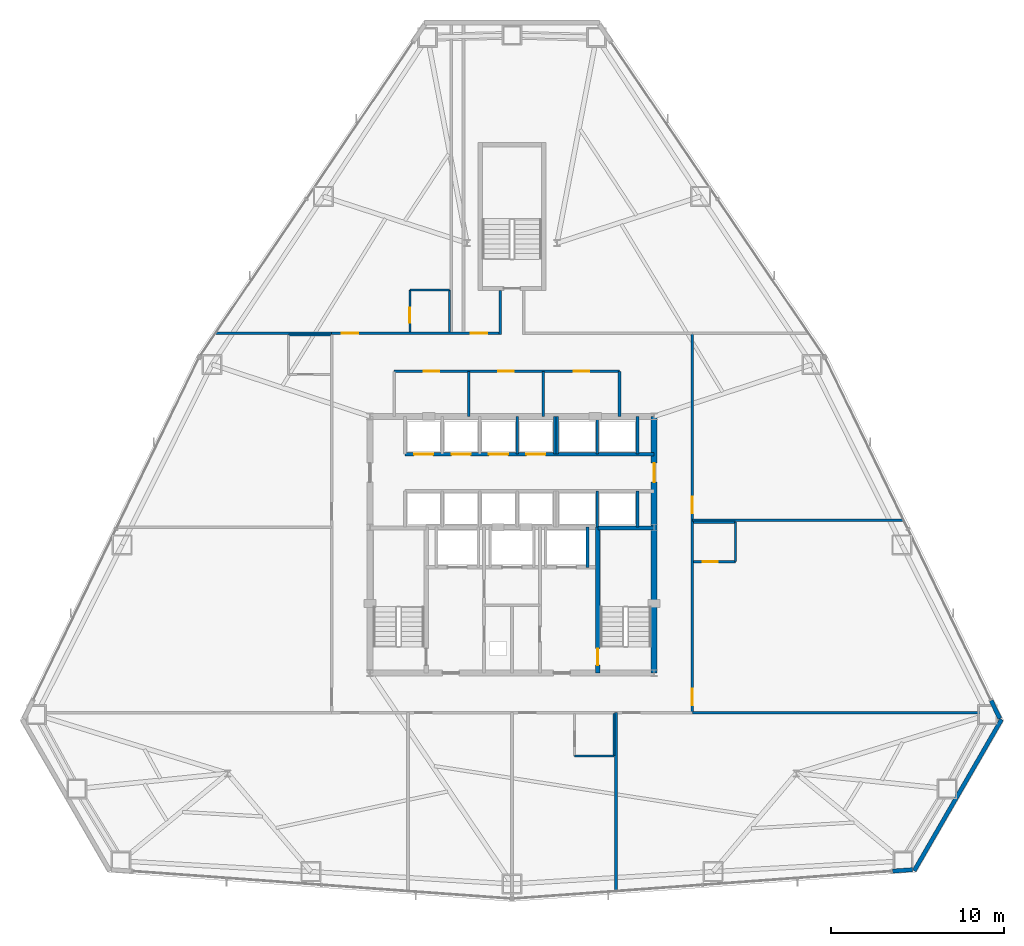
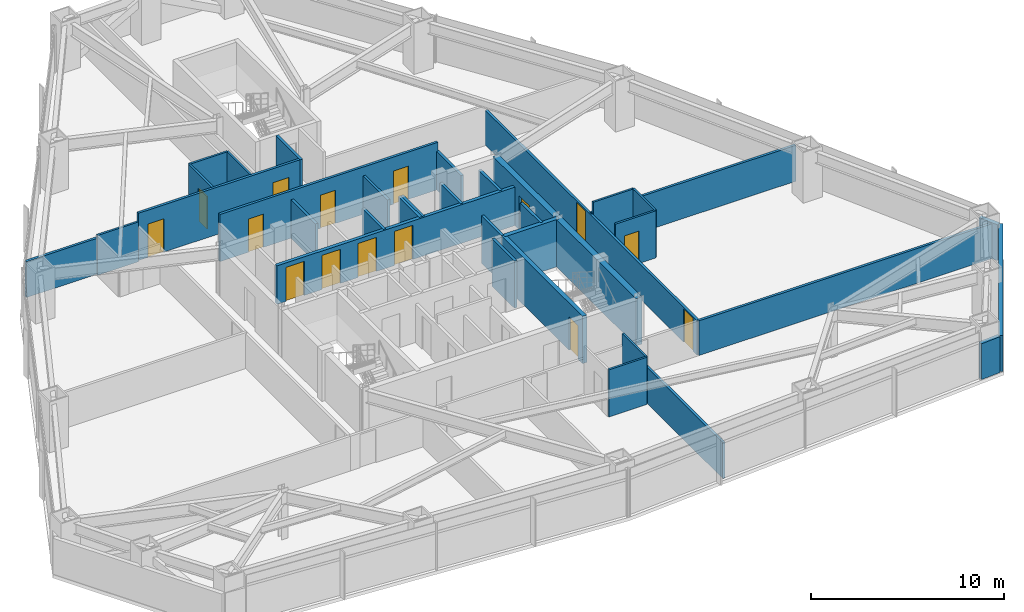
# One storey, part 10 of 12: 35 walls, 15 doors, 15 openings.
"""IFC4 building model written with IfcOpenShell, lengths in metres."""

from ifc_helpers import new_model, si_unit, direction, frame, frame_2d, origin, place, context, subcontext, project, spatial, rectangle, extrude, material, layer, layer_set, type_object, element, fill, save


model = new_model("IFC4")

# Units and contexts
model_context = context("Model", 3, precision=1e-05, world=origin(), true_north=direction((0.0, 1.0)))
body_context = subcontext(model_context, "Body", "Model", "MODEL_VIEW")
ifc_project = project(units=[si_unit("LENGTHUNIT", "METRE"), si_unit("AREAUNIT", "SQUARE_METRE"), si_unit("VOLUMEUNIT", "CUBIC_METRE"), si_unit("PLANEANGLEUNIT", "RADIAN"), si_unit("MASSUNIT", "GRAM", prefix="KILO")], contexts=[model_context])

# Site, building, storey
site_placement = place(None, origin())
site = spatial("IfcSite", under=ifc_project, at=site_placement, CompositionType="ELEMENT")
building_placement = place(site_placement, origin())
building = spatial("IfcBuilding", under=site, at=building_placement, Name="Varakhsha Concourse Tower", CompositionType="ELEMENT")
storey_placement = place(building_placement, frame((0.0, 0.0, 59.199951171875)))
storey = spatial("IfcBuildingStorey", under=building, at=storey_placement, Name="L16", CompositionType="ELEMENT", Elevation=59.199951171875)

# Wall, opening, door
ifc_material_1 = material(Name="Concrete fc 65 MPa", Category="concrete")
ifc_layer_1 = layer(ifc_material_1, 0.35009765625, Name="WL-CORE-350")
ifc_layer_set_1 = layer_set([ifc_layer_1], Name="Concrete fc 65 MPa")
wall_type_1 = type_object("IfcWallType", Name="WL-CORE-350", PredefinedType="SHEAR", material=ifc_layer_set_1)
wall_1_placement = place(storey_placement, frame((48.199951171875, 16.39990234375, 0.0), z_axis=(0.0, 0.0, 1.0), x_axis=(0.0, 1.0, 0.0)))
wall_1 = element("IfcWall", 1, at=wall_1_placement, inside=storey, type_object=wall_type_1, Name="L16 Wall CWALL-E-L16", PredefinedType="SHEAR", context=body_context, shape_type="SweptSolid", body=[
    extrude(rectangle(XDim=14.800048828125, YDim=0.35009765625, at=frame_2d((7.39990234375, 0.0))), origin(), (0.0, 0.0, 1.0), 2.97998046875),
])
opening_1_placement = place(wall_1_placement, frame((11.0, 0.0, 0.0)))
opening_1 = element("IfcOpeningElement", 2, at=opening_1_placement, cuts=wall_1, Name="Opening DL-01", PredefinedType="OPENING", context=body_context, shape_type="SweptSolid", body=[
    extrude(rectangle(XDim=1.10009765625, YDim=2.14990234375, at=frame_2d((0.550048828125, 1.074951171875))), frame((0.0, 0.18505859375, 0.0), z_axis=(0.0, -1.0, 0.0), x_axis=(1.0, 0.0, 0.0)), (0.0, 0.0, 1.0), 0.3701171875),
])
ifc_material_2 = material(Name="Anodised Bronze Architectural Aluminium AA 6063-T6", Category="aluminium")
door_type_1 = type_object("IfcDoorType", Name="DR-LOB-1100", OperationType="NOTDEFINED", PredefinedType="DOOR", material=ifc_material_2)
door_1_placement = place(opening_1_placement, origin())
door_1 = element("IfcDoor", 3, at=door_1_placement, inside=storey, type_object=door_type_1, Name="L16 Lift Lobby East Concourse Door", OperationType="SINGLE_SWING_RIGHT", OverallHeight=2.14990234375, OverallWidth=1.10009765625, PredefinedType="DOOR", context=body_context, shape_type="SweptSolid", body=[
    extrude(rectangle(XDim=1.10009765625, YDim=2.14990234375, at=frame_2d((0.550048828125, 1.074951171875))), frame((0.0, 0.02490234375, 0.0), z_axis=(0.0, -1.0, 0.0), x_axis=(1.0, 0.0, 0.0)), (0.0, 0.0, 1.0), 0.050048828125),
])
fill(opening_1, door_1)

# Walls
ifc_material_3 = material(Name="Concrete fc 45 MPa", Category="concrete")
ifc_layer_2 = layer(ifc_material_3, 0.239990234375, Name="WL-EXT-CRN-240")
ifc_layer_set_2 = layer_set([ifc_layer_2], Name="Concrete fc 45 MPa")
wall_type_2 = type_object("IfcWallType", Name="WL-EXT-CRN-240", PredefinedType="SHEAR", material=ifc_layer_set_2)
wall_2_placement = place(storey_placement, frame((61.952392578125, 4.95947265625, 0.0), z_axis=(0.0, 0.0, 1.0), x_axis=(0.997371614967, 0.072455929072, 0.0)))
element("IfcWall", 4, at=wall_2_placement, inside=storey, type_object=wall_type_2, Name="L16 Wind-Corner Shoulder Wall F6", PredefinedType="SHEAR", context=body_context, shape_type="SweptSolid", body=[
    extrude(rectangle(XDim=1.16259765625, YDim=0.239990234375, at=frame_2d((0.581298828125, 0.0))), origin(), (0.0, 0.0, 1.0), 2.262939453125),
])
wall_3_placement = place(storey_placement, frame((68.2470703125, 13.714599609375, 0.0), z_axis=(0.0, 0.0, 1.0), x_axis=(-0.499984376209, -0.866034423996, 0.0)))
element("IfcWall", 5, at=wall_3_placement, inside=storey, type_object=wall_type_2, Name="L16 Chamfer Wind-Corner Insulated Wall F7", PredefinedType="SHEAR", context=body_context, shape_type="SweptSolid", body=[
    extrude(rectangle(XDim=10.085693359375, YDim=0.239990234375, at=frame_2d((5.04296875, 0.0))), origin(), (0.0, 0.0, 1.0), 2.262939453125),
])
wall_4_placement = place(storey_placement, frame((68.145751953125, 13.7626953125, 0.0), z_axis=(0.0, 0.0, 1.0), x_axis=(-0.436005533542, 0.899943984213, 0.0)))
element("IfcWall", 6, at=wall_4_placement, inside=storey, type_object=wall_type_2, Name="L16 Wind-Corner Shoulder Wall F8", PredefinedType="SHEAR", context=body_context, shape_type="SweptSolid", body=[
    extrude(rectangle(XDim=1.162353515625, YDim=0.239990234375, at=frame_2d((0.5810546875, 0.0))), origin(), (0.0, 0.0, 1.0), 2.262939453125),
])
ifc_material_4 = material(Name="Acoustic Gypsum Board Partition Assembly", Category="gypsum")
ifc_layer_3 = layer(ifc_material_4, 0.1201171875, Name="WL-PART-120")
ifc_layer_set_3 = layer_set([ifc_layer_3], Name="Acoustic Gypsum Board Partition Assembly")
wall_type_3 = type_object("IfcWallType", Name="WL-PART-120", PredefinedType="PARTITIONING", material=ifc_layer_set_3)
wall_5_placement = place(storey_placement, frame((45.889892578125, 11.610107421875, 0.0), z_axis=(0.0, 0.0, 1.0), x_axis=(0.0, 1.0, 0.0)))
element("IfcWall", 7, at=wall_5_placement, inside=storey, type_object=wall_type_3, Name="L16 Wall ENSW-E-L16-H03", PredefinedType="PARTITIONING", context=body_context, shape_type="SweptSolid", body=[
    extrude(rectangle(XDim=2.429931640625, YDim=0.1201171875, at=frame_2d((1.21484375, 0.0))), origin(), (0.0, 0.0, 1.0), 2.97998046875),
])
wall_6_placement = place(storey_placement, frame((43.610107421875, 11.610107421875, 0.0), z_axis=(0.0, 0.0, 1.0), x_axis=(1.0, 0.0, 0.0)))
element("IfcWall", 8, at=wall_6_placement, inside=storey, type_object=wall_type_3, Name="L16 Wall ENSW-S-L16-H03", PredefinedType="PARTITIONING", context=body_context, shape_type="SweptSolid", body=[
    extrude(rectangle(XDim=2.27978515625, YDim=0.1201171875, at=frame_2d((1.139892578125, 0.0))), origin(), (0.0, 0.0, 1.0), 2.97998046875),
])
wall_7_placement = place(storey_placement, frame((27.110107421875, 35.889892578125, 0.0), z_axis=(0.0, 0.0, 1.0), x_axis=(1.0, 0.0, 0.0)))
element("IfcWall", 9, at=wall_7_placement, inside=storey, type_object=wall_type_3, Name="L16 Wall ENSW-N-L16-H06", PredefinedType="PARTITIONING", context=body_context, shape_type="SweptSolid", body=[
    extrude(rectangle(XDim=2.429931640625, YDim=0.1201171875, at=frame_2d((1.21484375, 0.0))), origin(), (0.0, 0.0, 1.0), 2.512939453125),
])
wall_8_placement = place(storey_placement, frame((52.889892578125, 22.81005859375, 0.0), z_axis=(0.0, 0.0, 1.0), x_axis=(0.0, 1.0, 0.0)))
element("IfcWall", 10, at=wall_8_placement, inside=storey, type_object=wall_type_3, Name="L16 Wall ENSW-E-L16-H07", PredefinedType="PARTITIONING", context=body_context, shape_type="SweptSolid", body=[
    extrude(rectangle(XDim=2.280029296875, YDim=0.1201171875, at=frame_2d((1.14013671875, 0.0))), origin(), (0.0, 0.0, 1.0), 2.97998046875),
])

# Wall, opening, door
wall_9_placement = place(storey_placement, frame((50.4599609375, 22.81005859375, 0.0), z_axis=(0.0, 0.0, 1.0), x_axis=(1.0, 0.0, 0.0)))
wall_9 = element("IfcWall", 11, at=wall_9_placement, inside=storey, type_object=wall_type_3, Name="L16 Wall ENSW-S-L16-H07", PredefinedType="PARTITIONING", context=body_context, shape_type="SweptSolid", body=[
    extrude(rectangle(XDim=2.429931640625, YDim=0.1201171875, at=frame_2d((1.21484375, 0.0))), origin(), (0.0, 0.0, 1.0), 2.97998046875),
])
opening_2_placement = place(wall_9_placement, frame((0.550048828125, 0.0, 0.0)))
opening_2 = element("IfcOpeningElement", 12, at=opening_2_placement, cuts=wall_9, Name="Opening DI-01", PredefinedType="OPENING", context=body_context, shape_type="SweptSolid", body=[
    extrude(rectangle(XDim=0.85009765625, YDim=2.050048828125, at=frame_2d((0.425048828125, 1.02490234375))), frame((0.0, 0.070068359375, 0.0), z_axis=(0.0, -1.0, 0.0), x_axis=(1.0, 0.0, 0.0)), (0.0, 0.0, 1.0), 0.14013671875),
])
ifc_material_5 = material(Name="Architectural Walnut Acoustic Timber Door", Category="wood")
door_type_2 = type_object("IfcDoorType", Name="DR-INT-850", OperationType="NOTDEFINED", PredefinedType="DOOR", material=ifc_material_5)
door_2_placement = place(opening_2_placement, origin())
door_2 = element("IfcDoor", 13, at=door_2_placement, inside=storey, type_object=door_type_2, Name="L16 En-suite Bathroom Door L16-H07", OperationType="SINGLE_SWING_RIGHT", OverallHeight=2.050048828125, OverallWidth=0.85009765625, PredefinedType="DOOR", context=body_context, shape_type="SweptSolid", body=[
    extrude(rectangle(XDim=0.85009765625, YDim=2.050048828125, at=frame_2d((0.425048828125, 1.02490234375))), frame((0.0, 0.02490234375, 0.0), z_axis=(0.0, -1.0, 0.0), x_axis=(1.0, 0.0, 0.0)), (0.0, 0.0, 1.0), 0.050048828125),
])
fill(opening_2, door_2)

# Wall
wall_10_placement = place(storey_placement, frame((50.4599609375, 25.090087890625, 0.0), z_axis=(0.0, 0.0, 1.0), x_axis=(1.0, 0.0, 0.0)))
element("IfcWall", 14, at=wall_10_placement, inside=storey, type_object=wall_type_3, Name="L16 Wall ENSW-N-L16-H07", PredefinedType="PARTITIONING", context=body_context, shape_type="SweptSolid", body=[
    extrude(rectangle(XDim=2.429931640625, YDim=0.1201171875, at=frame_2d((1.21484375, 0.0))), origin(), (0.0, 0.0, 1.0), 2.97998046875),
])

# Wall, opening, door
wall_11_placement = place(storey_placement, frame((34.110107421875, 36.06005859375, 0.0), z_axis=(0.0, 0.0, 1.0), x_axis=(0.0, 1.0, 0.0)))
wall_11 = element("IfcWall", 15, at=wall_11_placement, inside=storey, type_object=wall_type_3, Name="L16 Wall ENSW-W-L16-H09", PredefinedType="PARTITIONING", context=body_context, shape_type="SweptSolid", body=[
    extrude(rectangle(XDim=2.429931640625, YDim=0.1201171875, at=frame_2d((1.21484375, 0.0))), origin(), (0.0, 0.0, 1.0), 2.97998046875),
])
opening_3_placement = place(wall_11_placement, frame((0.550048828125, 0.0, 0.0)))
opening_3 = element("IfcOpeningElement", 16, at=opening_3_placement, cuts=wall_11, Name="Opening DI-01", PredefinedType="OPENING", context=body_context, shape_type="SweptSolid", body=[
    extrude(rectangle(XDim=0.85009765625, YDim=2.050048828125, at=frame_2d((0.425048828125, 1.02490234375))), frame((0.0, 0.070068359375, 0.0), z_axis=(0.0, -1.0, 0.0), x_axis=(1.0, 0.0, 0.0)), (0.0, 0.0, 1.0), 0.14013671875),
])
door_3_placement = place(opening_3_placement, origin())
door_3 = element("IfcDoor", 17, at=door_3_placement, inside=storey, type_object=door_type_2, Name="L16 En-suite Bathroom Door L16-H09", OperationType="SINGLE_SWING_RIGHT", OverallHeight=2.050048828125, OverallWidth=0.85009765625, PredefinedType="DOOR", context=body_context, shape_type="SweptSolid", body=[
    extrude(rectangle(XDim=0.85009765625, YDim=2.050048828125, at=frame_2d((0.425048828125, 1.02490234375))), frame((0.0, 0.02490234375, 0.0), z_axis=(0.0, -1.0, 0.0), x_axis=(1.0, 0.0, 0.0)), (0.0, 0.0, 1.0), 0.050048828125),
])
fill(opening_3, door_3)

# Walls
wall_12_placement = place(storey_placement, frame((36.389892578125, 36.06005859375, 0.0), z_axis=(0.0, 0.0, 1.0), x_axis=(0.0, 1.0, 0.0)))
element("IfcWall", 18, at=wall_12_placement, inside=storey, type_object=wall_type_3, Name="L16 Wall ENSW-E-L16-H09", PredefinedType="PARTITIONING", context=body_context, shape_type="SweptSolid", body=[
    extrude(rectangle(XDim=2.429931640625, YDim=0.1201171875, at=frame_2d((1.21484375, 0.0))), origin(), (0.0, 0.0, 1.0), 2.97998046875),
])
wall_13_placement = place(storey_placement, frame((34.110107421875, 38.489990234375, 0.0), z_axis=(0.0, 0.0, 1.0), x_axis=(1.0, 0.0, 0.0)))
element("IfcWall", 19, at=wall_13_placement, inside=storey, type_object=wall_type_3, Name="L16 Wall ENSW-N-L16-H09", PredefinedType="PARTITIONING", context=body_context, shape_type="SweptSolid", body=[
    extrude(rectangle(XDim=2.27978515625, YDim=0.1201171875, at=frame_2d((1.139892578125, 0.0))), origin(), (0.0, 0.0, 1.0), 2.97998046875),
])

# Wall, openings, doors
ifc_material_6 = material(Name="Fire-Rated Type X Gypsum Partition Assembly", Category="gypsum")
ifc_layer_4 = layer(ifc_material_6, 0.14990234375, Name="WL-PART-150")
ifc_layer_set_4 = layer_set([ifc_layer_4], Name="Fire-Rated Type X Gypsum Partition Assembly")
wall_type_4 = type_object("IfcWallType", Name="WL-PART-150", PredefinedType="PARTITIONING", material=ifc_layer_set_4)
wall_14_placement = place(storey_placement, frame((33.199951171875, 33.800048828125, 0.0), z_axis=(0.0, 0.0, 1.0), x_axis=(1.0, 0.0, 0.0)))
wall_14 = element("IfcWall", 20, at=wall_14_placement, inside=storey, type_object=wall_type_4, Name="L16 Wall NBOH-N-L16", PredefinedType="PARTITIONING", context=body_context, shape_type="SweptSolid", body=[
    extrude(rectangle(XDim=13.0, YDim=0.14990234375, at=frame_2d((6.5, 0.0))), origin(), (0.0, 0.0, 1.0), 2.97998046875),
])
opening_4_placement = place(wall_14_placement, frame((1.699951171875, 0.0, 0.0)))
opening_4 = element("IfcOpeningElement", 21, at=opening_4_placement, cuts=wall_14, Name="Opening DF-06", PredefinedType="OPENING", context=body_context, shape_type="SweptSolid", body=[
    extrude(rectangle(XDim=0.89990234375, YDim=2.10009765625, at=frame_2d((0.449951171875, 1.050048828125))), frame((0.0, 0.0849609375, 0.0), z_axis=(0.0, -1.0, 0.0), x_axis=(1.0, 0.0, 0.0)), (0.0, 0.0, 1.0), 0.169921875),
])
opening_5_placement = place(wall_14_placement, frame((6.0, 0.0, 0.0)))
opening_5 = element("IfcOpeningElement", 22, at=opening_5_placement, cuts=wall_14, Name="Opening DF-06", PredefinedType="OPENING", context=body_context, shape_type="SweptSolid", body=[
    extrude(rectangle(XDim=0.89990234375, YDim=2.10009765625, at=frame_2d((0.449951171875, 1.050048828125))), frame((0.0, 0.0849609375, 0.0), z_axis=(0.0, -1.0, 0.0), x_axis=(1.0, 0.0, 0.0)), (0.0, 0.0, 1.0), 0.169921875),
])
opening_6_placement = place(wall_14_placement, frame((10.35009765625, 0.0, 0.0)))
opening_6 = element("IfcOpeningElement", 23, at=opening_6_placement, cuts=wall_14, Name="Opening DF-06", PredefinedType="OPENING", context=body_context, shape_type="SweptSolid", body=[
    extrude(rectangle(XDim=0.89990234375, YDim=2.10009765625, at=frame_2d((0.449951171875, 1.050048828125))), frame((0.0, 0.0849609375, 0.0), z_axis=(0.0, -1.0, 0.0), x_axis=(1.0, 0.0, 0.0)), (0.0, 0.0, 1.0), 0.169921875),
])
ifc_material_7 = material(Name="Hollow Galvanised Steel Fire Door Assembly", Category="steel")
door_type_3 = type_object("IfcDoorType", Name="DR-FD60-900", OperationType="NOTDEFINED", PredefinedType="DOOR", material=ifc_material_7)
door_4_placement = place(opening_4_placement, origin())
door_4 = element("IfcDoor", 24, at=door_4_placement, inside=storey, type_object=door_type_3, Name="L16 Housekeeping and Linen Room Door", OperationType="SINGLE_SWING_LEFT", OverallHeight=2.10009765625, OverallWidth=0.89990234375, PredefinedType="DOOR", context=body_context, shape_type="SweptSolid", body=[
    extrude(rectangle(XDim=0.89990234375, YDim=2.10009765625, at=frame_2d((0.449951171875, 1.050048828125))), frame((0.0, 0.02490234375, 0.0), z_axis=(0.0, -1.0, 0.0), x_axis=(1.0, 0.0, 0.0)), (0.0, 0.0, 1.0), 0.050048828125),
])
fill(opening_4, door_4)
door_5_placement = place(opening_5_placement, origin())
door_5 = element("IfcDoor", 25, at=door_5_placement, inside=storey, type_object=door_type_3, Name="L16 Accessible WC Door", OperationType="SINGLE_SWING_RIGHT", OverallHeight=2.10009765625, OverallWidth=0.89990234375, PredefinedType="DOOR", context=body_context, shape_type="SweptSolid", body=[
    extrude(rectangle(XDim=0.89990234375, YDim=2.10009765625, at=frame_2d((0.449951171875, 1.050048828125))), frame((0.0, 0.02490234375, 0.0), z_axis=(0.0, -1.0, 0.0), x_axis=(1.0, 0.0, 0.0)), (0.0, 0.0, 1.0), 0.050048828125),
])
fill(opening_5, door_5)
door_6_placement = place(opening_6_placement, origin())
door_6 = element("IfcDoor", 26, at=door_6_placement, inside=storey, type_object=door_type_3, Name="L16 Staff Restroom WC Door", OperationType="SINGLE_SWING_LEFT", OverallHeight=2.10009765625, OverallWidth=0.89990234375, PredefinedType="DOOR", context=body_context, shape_type="SweptSolid", body=[
    extrude(rectangle(XDim=0.89990234375, YDim=2.10009765625, at=frame_2d((0.449951171875, 1.050048828125))), frame((0.0, 0.02490234375, 0.0), z_axis=(0.0, -1.0, 0.0), x_axis=(1.0, 0.0, 0.0)), (0.0, 0.0, 1.0), 0.050048828125),
])
fill(opening_6, door_6)

# Walls
for number, where, z_axis, x_axis, name in (
    (27, (46.199951171875, 31.199951171875, 0.0), (0.0, 0.0, 1.0), (0.0, 1.0, 0.0), "L16 Wall NBOH-E-L16"),
    (28, (37.5, 31.199951171875, 0.0), (0.0, 0.0, 1.0), (0.0, 1.0, 0.0), "L16 Wall NBOH-D1-L16"),
    (29, (41.800048828125, 31.199951171875, 0.0), (0.0, 0.0, 1.0), (0.0, 1.0, 0.0), "L16 Wall NBOH-D2-L16"),
):
    element("IfcWall", number, at=place(storey_placement, frame(where, z_axis=z_axis, x_axis=x_axis)), inside=storey, type_object=wall_type_4, Name=name, PredefinedType="PARTITIONING", context=body_context, shape_type="SweptSolid", body=[
        extrude(rectangle(XDim=2.60009765625, YDim=0.14990234375, at=frame_2d((1.300048828125, 0.0))), origin(), (0.0, 0.0, 1.0), 2.43115234375),
    ])

# Wall, openings, doors
wall_15_placement = place(storey_placement, frame((29.60009765625, 36.0, 0.0), z_axis=(0.0, 0.0, 1.0), x_axis=(1.0, 0.0, 0.0)))
wall_15 = element("IfcWall", 30, at=wall_15_placement, inside=storey, type_object=wall_type_4, Name="L16 Wall CRW-N-L16", PredefinedType="PARTITIONING", context=body_context, shape_type="SweptSolid", body=[
    extrude(rectangle(XDim=9.64990234375, YDim=0.14990234375, at=frame_2d((4.824951171875, 0.0))), origin(), (0.0, 0.0, 1.0), 2.97998046875),
])
opening_7_placement = place(wall_15_placement, frame((0.570068359375, 0.0, 0.0)))
opening_7 = element("IfcOpeningElement", 31, at=opening_7_placement, cuts=wall_15, Name="Opening DF-05", PredefinedType="OPENING", context=body_context, shape_type="SweptSolid", body=[
    extrude(rectangle(XDim=0.949951171875, YDim=2.10009765625, at=frame_2d((0.47509765625, 1.050048828125))), frame((0.0, 0.0849609375, 0.0), z_axis=(0.0, -1.0, 0.0), x_axis=(1.0, 0.0, 0.0)), (0.0, 0.0, 1.0), 0.169921875),
])
opening_8_placement = place(wall_15_placement, frame((8.02001953125, 0.0, 0.0)))
opening_8 = element("IfcOpeningElement", 32, at=opening_8_placement, cuts=wall_15, Name="Opening DF-05", PredefinedType="OPENING", context=body_context, shape_type="SweptSolid", body=[
    extrude(rectangle(XDim=0.949951171875, YDim=2.10009765625, at=frame_2d((0.47509765625, 1.050048828125))), frame((0.0, 0.0849609375, 0.0), z_axis=(0.0, -1.0, 0.0), x_axis=(1.0, 0.0, 0.0)), (0.0, 0.0, 1.0), 0.169921875),
])
door_type_4 = type_object("IfcDoorType", Name="DR-FD60-950", OperationType="NOTDEFINED", PredefinedType="DOOR", material=ifc_material_7)
door_7_placement = place(opening_7_placement, origin())
door_7 = element("IfcDoor", 33, at=door_7_placement, inside=storey, type_object=door_type_4, Name="L16 Hotel Corner Suite L16-H09 Entry Door", OperationType="SINGLE_SWING_LEFT", OverallHeight=2.10009765625, OverallWidth=0.949951171875, PredefinedType="DOOR", context=body_context, shape_type="SweptSolid", body=[
    extrude(rectangle(XDim=0.949951171875, YDim=2.10009765625, at=frame_2d((0.47509765625, 1.050048828125))), frame((0.0, 0.02490234375, 0.0), z_axis=(0.0, -1.0, 0.0), x_axis=(1.0, 0.0, 0.0)), (0.0, 0.0, 1.0), 0.050048828125),
])
fill(opening_7, door_7)
door_8_placement = place(opening_8_placement, origin())
door_8 = element("IfcDoor", 34, at=door_8_placement, inside=storey, type_object=door_type_4, Name="L16 Hospitality Conservatory Lounge L16-H10 Door", OperationType="SINGLE_SWING_RIGHT", OverallHeight=2.10009765625, OverallWidth=0.949951171875, PredefinedType="DOOR", context=body_context, shape_type="SweptSolid", body=[
    extrude(rectangle(XDim=0.949951171875, YDim=2.10009765625, at=frame_2d((0.47509765625, 1.050048828125))), frame((0.0, 0.02490234375, 0.0), z_axis=(0.0, -1.0, 0.0), x_axis=(1.0, 0.0, 0.0)), (0.0, 0.0, 1.0), 0.050048828125),
])
fill(opening_8, door_8)

wall_16_placement = place(storey_placement, frame((50.39990234375, 14.10009765625, 0.0), z_axis=(0.0, 0.0, 1.0), x_axis=(0.0, 1.0, 0.0)))
wall_16 = element("IfcWall", 35, at=wall_16_placement, inside=storey, type_object=wall_type_4, Name="L16 Wall CRW-E-L16", PredefinedType="PARTITIONING", context=body_context, shape_type="SweptSolid", body=[
    extrude(rectangle(XDim=21.89990234375, YDim=0.14990234375, at=frame_2d((10.949951171875, 0.0))), origin(), (0.0, 0.0, 1.0), 2.191162109375),
])
opening_9_placement = place(wall_16_placement, frame((0.419921875, 0.0, 0.0)))
opening_9 = element("IfcOpeningElement", 36, at=opening_9_placement, cuts=wall_16, Name="Opening DF-05", PredefinedType="OPENING", context=body_context, shape_type="SweptSolid", body=[
    extrude(rectangle(XDim=0.949951171875, YDim=2.10009765625, at=frame_2d((0.47509765625, 1.050048828125))), frame((0.0, 0.0849609375, 0.0), z_axis=(0.0, -1.0, 0.0), x_axis=(1.0, 0.0, 0.0)), (0.0, 0.0, 1.0), 0.169921875),
])
opening_10_placement = place(wall_16_placement, frame((11.52001953125, 0.0, 0.0)))
opening_10 = element("IfcOpeningElement", 37, at=opening_10_placement, cuts=wall_16, Name="Opening DF-05", PredefinedType="OPENING", context=body_context, shape_type="SweptSolid", body=[
    extrude(rectangle(XDim=0.949951171875, YDim=2.10009765625, at=frame_2d((0.47509765625, 1.050048828125))), frame((0.0, 0.0849609375, 0.0), z_axis=(0.0, -1.0, 0.0), x_axis=(1.0, 0.0, 0.0)), (0.0, 0.0, 1.0), 0.169921875),
])
door_9_placement = place(opening_9_placement, origin())
door_9 = element("IfcDoor", 38, at=door_9_placement, inside=storey, type_object=door_type_4, Name="L16 Hotel Corner Suite L16-H07 Entry Door", OperationType="SINGLE_SWING_LEFT", OverallHeight=2.10009765625, OverallWidth=0.949951171875, PredefinedType="DOOR", context=body_context, shape_type="SweptSolid", body=[
    extrude(rectangle(XDim=0.949951171875, YDim=2.10009765625, at=frame_2d((0.47509765625, 1.050048828125))), frame((0.0, 0.02490234375, 0.0), z_axis=(0.0, -1.0, 0.0), x_axis=(1.0, 0.0, 0.0)), (0.0, 0.0, 1.0), 0.050048828125),
])
fill(opening_9, door_9)
door_10_placement = place(opening_10_placement, origin())
door_10 = element("IfcDoor", 39, at=door_10_placement, inside=storey, type_object=door_type_4, Name="L16 Hospitality Conservatory Lounge L16-H08 Door", OperationType="SINGLE_SWING_RIGHT", OverallHeight=2.10009765625, OverallWidth=0.949951171875, PredefinedType="DOOR", context=body_context, shape_type="SweptSolid", body=[
    extrude(rectangle(XDim=0.949951171875, YDim=2.10009765625, at=frame_2d((0.47509765625, 1.050048828125))), frame((0.0, 0.02490234375, 0.0), z_axis=(0.0, -1.0, 0.0), x_axis=(1.0, 0.0, 0.0)), (0.0, 0.0, 1.0), 0.050048828125),
])
fill(opening_10, door_10)

# Walls
wall_17_placement = place(storey_placement, frame((46.0, 3.806396484375, 0.0), z_axis=(0.0, 0.0, 1.0), x_axis=(0.0, 1.0, 0.0)))
element("IfcWall", 40, at=wall_17_placement, inside=storey, type_object=wall_type_4, Name="L16 Wall HDIV-S3-L16", PredefinedType="PARTITIONING", context=body_context, shape_type="SweptSolid", body=[
    extrude(rectangle(XDim=10.293701171875, YDim=0.14990234375, at=frame_2d((5.14697265625, 0.0))), origin(), (0.0, 0.0, 1.0), 2.26806640625),
])
wall_18_placement = place(storey_placement, frame((22.9013671875, 36.0, 0.0), z_axis=(0.0, 0.0, 1.0), x_axis=(1.0, 0.0, 0.0)))
element("IfcWall", 41, at=wall_18_placement, inside=storey, type_object=wall_type_4, Name="L16 Wall HDIV-WBN-L16", PredefinedType="PARTITIONING", context=body_context, shape_type="SweptSolid", body=[
    extrude(rectangle(XDim=6.69873046875, YDim=0.14990234375, at=frame_2d((3.349365234375, 0.0))), origin(), (0.0, 0.0, 1.0), 2.26806640625),
])
wall_19_placement = place(storey_placement, frame((50.39990234375, 14.10009765625, 0.0), z_axis=(0.0, 0.0, 1.0), x_axis=(1.0, 0.0, 0.0)))
element("IfcWall", 42, at=wall_19_placement, inside=storey, type_object=wall_type_4, Name="L16 Wall HDIV-EB0-L16", PredefinedType="PARTITIONING", context=body_context, shape_type="SweptSolid", body=[
    extrude(rectangle(XDim=17.576904296875, YDim=0.14990234375, at=frame_2d((8.78857421875, 0.0))), origin(), (0.0, 0.0, 1.0), 2.191162109375),
])
wall_20_placement = place(storey_placement, frame((50.39990234375, 25.199951171875, 0.0), z_axis=(0.0, 0.0, 1.0), x_axis=(1.0, 0.0, 0.0)))
element("IfcWall", 43, at=wall_20_placement, inside=storey, type_object=wall_type_4, Name="L16 Wall HDIV-E1-L16", PredefinedType="PARTITIONING", context=body_context, shape_type="SweptSolid", body=[
    extrude(rectangle(XDim=12.199462890625, YDim=0.14990234375, at=frame_2d((6.099609375, 0.0))), origin(), (0.0, 0.0, 1.0), 2.26806640625),
])
wall_21_placement = place(storey_placement, frame((39.324951171875, 35.925048828125, 0.0), z_axis=(0.0, 0.0, 1.0), x_axis=(0.0, 1.0, 0.0)))
element("IfcWall", 44, at=wall_21_placement, inside=storey, type_object=wall_type_4, Name="L16 Wall STUB-W-L16", PredefinedType="PARTITIONING", context=body_context, shape_type="SweptSolid", body=[
    extrude(rectangle(XDim=2.52490234375, YDim=0.14990234375, at=frame_2d((1.262451171875, 0.0))), origin(), (0.0, 0.0, 1.0), 2.97998046875),
])
ifc_layer_5 = layer(ifc_material_6, 0.199951171875, Name="WL-SHAFT-220")
ifc_layer_set_5 = layer_set([ifc_layer_5], Name="Fire-Rated Type X Gypsum Partition Assembly")
wall_type_5 = type_object("IfcWallType", Name="WL-SHAFT-220", PredefinedType="SOLIDWALL", material=ifc_layer_set_5)
wall_22_placement = place(storey_placement, frame((44.35009765625, 22.47998046875, 0.0), z_axis=(0.0, 0.0, 1.0), x_axis=(0.0, 1.0, 0.0)))
element("IfcWall", 45, at=wall_22_placement, inside=storey, type_object=wall_type_5, Name="L16 Wall SHW-FFL-2-E-L16", PredefinedType="SOLIDWALL", context=body_context, shape_type="SweptSolid", body=[
    extrude(rectangle(XDim=2.320068359375, YDim=0.159912109375, at=frame_2d((1.16015625, 0.0))), origin(), (0.0, 0.0, 1.0), 2.97998046875),
])

# Wall, openings, doors
wall_23_placement = place(storey_placement, frame((33.820068359375, 29.02001953125, 0.0), z_axis=(0.0, 0.0, 1.0), x_axis=(1.0, 0.0, 0.0)))
wall_23 = element("IfcWall", 46, at=wall_23_placement, inside=storey, type_object=wall_type_5, Name="L16 Wall PLW-N-L16", PredefinedType="SOLIDWALL", context=body_context, shape_type="SweptSolid", body=[
    extrude(rectangle(XDim=14.3798828125, YDim=0.199951171875, at=frame_2d((7.18994140625, 0.0))), origin(), (0.0, 0.0, 1.0), 2.43115234375),
])
opening_11_placement = place(wall_23_placement, frame((0.530029296875, 0.0, 0.0)))
opening_11 = element("IfcOpeningElement", 47, at=opening_11_placement, cuts=wall_23, Name="Opening LD-LF-P01", PredefinedType="OPENING", context=body_context, shape_type="SweptSolid", body=[
    extrude(rectangle(XDim=1.10009765625, YDim=2.14990234375, at=frame_2d((0.550048828125, 1.074951171875))), frame((0.0, 0.10986328125, 0.0), z_axis=(0.0, -1.0, 0.0), x_axis=(1.0, 0.0, 0.0)), (0.0, 0.0, 1.0), 0.219970703125),
])
opening_12_placement = place(wall_23_placement, frame((2.68994140625, 0.0, 0.0)))
opening_12 = element("IfcOpeningElement", 48, at=opening_12_placement, cuts=wall_23, Name="Opening LD-LF-P02", PredefinedType="OPENING", context=body_context, shape_type="SweptSolid", body=[
    extrude(rectangle(XDim=1.10009765625, YDim=2.14990234375, at=frame_2d((0.550048828125, 1.074951171875))), frame((0.0, 0.10986328125, 0.0), z_axis=(0.0, -1.0, 0.0), x_axis=(1.0, 0.0, 0.0)), (0.0, 0.0, 1.0), 0.219970703125),
])
opening_13_placement = place(wall_23_placement, frame((4.85009765625, 0.0, 0.0)))
opening_13 = element("IfcOpeningElement", 49, at=opening_13_placement, cuts=wall_23, Name="Opening LD-LF-P03", PredefinedType="OPENING", context=body_context, shape_type="SweptSolid", body=[
    extrude(rectangle(XDim=1.10009765625, YDim=2.14990234375, at=frame_2d((0.550048828125, 1.074951171875))), frame((0.0, 0.10986328125, 0.0), z_axis=(0.0, -1.0, 0.0), x_axis=(1.0, 0.0, 0.0)), (0.0, 0.0, 1.0), 0.219970703125),
])
opening_14_placement = place(wall_23_placement, frame((7.010009765625, 0.0, 0.0)))
opening_14 = element("IfcOpeningElement", 50, at=opening_14_placement, cuts=wall_23, Name="Opening LD-LF-P04", PredefinedType="OPENING", context=body_context, shape_type="SweptSolid", body=[
    extrude(rectangle(XDim=1.10009765625, YDim=2.14990234375, at=frame_2d((0.550048828125, 1.074951171875))), frame((0.0, 0.10986328125, 0.0), z_axis=(0.0, -1.0, 0.0), x_axis=(1.0, 0.0, 0.0)), (0.0, 0.0, 1.0), 0.219970703125),
])
ifc_material_8 = material(Name="Brushed Austenitic Stainless Steel AISI 316", Category="steel")
door_type_5 = type_object("IfcDoorType", Name="DR-LD-1100", OperationType="DOUBLE_DOOR_SLIDING", PredefinedType="DOOR", material=ifc_material_8)
door_11_placement = place(opening_11_placement, origin())
door_11 = element("IfcDoor", 51, at=door_11_placement, inside=storey, type_object=door_type_5, Name="Lift Landing Door LF-P01 L16", OperationType="DOUBLE_DOOR_SLIDING", OverallHeight=2.14990234375, OverallWidth=1.10009765625, PredefinedType="DOOR", context=body_context, shape_type="SweptSolid", body=[
    extrude(rectangle(XDim=1.10009765625, YDim=2.14990234375, at=frame_2d((0.550048828125, 1.074951171875))), frame((0.0, 0.02490234375, 0.0), z_axis=(0.0, -1.0, 0.0), x_axis=(1.0, 0.0, 0.0)), (0.0, 0.0, 1.0), 0.050048828125),
])
fill(opening_11, door_11)
door_12_placement = place(opening_12_placement, origin())
door_12 = element("IfcDoor", 52, at=door_12_placement, inside=storey, type_object=door_type_5, Name="Lift Landing Door LF-P02 L16", OperationType="DOUBLE_DOOR_SLIDING", OverallHeight=2.14990234375, OverallWidth=1.10009765625, PredefinedType="DOOR", context=body_context, shape_type="SweptSolid", body=[
    extrude(rectangle(XDim=1.10009765625, YDim=2.14990234375, at=frame_2d((0.550048828125, 1.074951171875))), frame((0.0, 0.02490234375, 0.0), z_axis=(0.0, -1.0, 0.0), x_axis=(1.0, 0.0, 0.0)), (0.0, 0.0, 1.0), 0.050048828125),
])
fill(opening_12, door_12)
door_13_placement = place(opening_13_placement, origin())
door_13 = element("IfcDoor", 53, at=door_13_placement, inside=storey, type_object=door_type_5, Name="Lift Landing Door LF-P03 L16", OperationType="DOUBLE_DOOR_SLIDING", OverallHeight=2.14990234375, OverallWidth=1.10009765625, PredefinedType="DOOR", context=body_context, shape_type="SweptSolid", body=[
    extrude(rectangle(XDim=1.10009765625, YDim=2.14990234375, at=frame_2d((0.550048828125, 1.074951171875))), frame((0.0, 0.02490234375, 0.0), z_axis=(0.0, -1.0, 0.0), x_axis=(1.0, 0.0, 0.0)), (0.0, 0.0, 1.0), 0.050048828125),
])
fill(opening_13, door_13)
door_14_placement = place(opening_14_placement, origin())
door_14 = element("IfcDoor", 54, at=door_14_placement, inside=storey, type_object=door_type_5, Name="Lift Landing Door LF-P04 L16", OperationType="DOUBLE_DOOR_SLIDING", OverallHeight=2.14990234375, OverallWidth=1.10009765625, PredefinedType="DOOR", context=body_context, shape_type="SweptSolid", body=[
    extrude(rectangle(XDim=1.10009765625, YDim=2.14990234375, at=frame_2d((0.550048828125, 1.074951171875))), frame((0.0, 0.02490234375, 0.0), z_axis=(0.0, -1.0, 0.0), x_axis=(1.0, 0.0, 0.0)), (0.0, 0.0, 1.0), 0.050048828125),
])
fill(opening_14, door_14)

# Walls
for number, where, z_axis, x_axis, name in (
    (55, (40.300048828125, 29.02001953125, 0.0), (0.0, 0.0, 1.0), (0.0, 1.0, 0.0), "L16 Wall SHW-LF-P03-E-L16"),
    (56, (42.4599609375, 29.02001953125, 0.0), (0.0, 0.0, 1.0), (0.0, 1.0, 0.0), "L16 Wall SHW-LF-P04-E-L16"),
    (57, (42.60009765625, 29.02001953125, 0.0), (0.0, 0.0, 1.0), (0.0, 1.0, 0.0), "L16 Wall SHW-LF-P09-W-L16"),
    (58, (44.919921875, 29.02001953125, 0.0), (0.0, 0.0, 1.0), (0.0, 1.0, 0.0), "L16 Wall SHW-LF-P09-E-L16"),
    (59, (47.239990234375, 29.02001953125, 0.0), (0.0, 0.0, 1.0), (0.0, 1.0, 0.0), "L16 Wall SHW-LF-P10-E-L16"),
):
    element("IfcWall", number, at=place(storey_placement, frame(where, z_axis=z_axis, x_axis=x_axis)), inside=storey, type_object=wall_type_5, Name=name, PredefinedType="SOLIDWALL", context=body_context, shape_type="SweptSolid", body=[
        extrude(rectangle(XDim=2.179931640625, YDim=0.159912109375, at=frame_2d((1.08984375, 0.0))), origin(), (0.0, 0.0, 1.0), 2.43115234375),
    ])
for number, where, z_axis, x_axis, name in (
    (60, (44.919921875, 24.800048828125, 0.0), (0.0, 0.0, 1.0), (0.0, 1.0, 0.0), "L16 Wall SHW-LF-P11-E-L16"),
    (61, (47.239990234375, 24.800048828125, 0.0), (0.0, 0.0, 1.0), (0.0, 1.0, 0.0), "L16 Wall SHW-LF-P12-E-L16"),
):
    element("IfcWall", number, at=place(storey_placement, frame(where, z_axis=z_axis, x_axis=x_axis)), inside=storey, type_object=wall_type_5, Name=name, PredefinedType="SOLIDWALL", context=body_context, shape_type="SweptSolid", body=[
        extrude(rectangle(XDim=2.079833984375, YDim=0.159912109375, at=frame_2d((1.0400390625, 0.0))), origin(), (0.0, 0.0, 1.0), 2.97998046875),
    ])

# Wall, opening, door
ifc_layer_6 = layer(ifc_material_3, 0.25, Name="WL-STAIR-250")
ifc_layer_set_6 = layer_set([ifc_layer_6], Name="Concrete fc 45 MPa")
wall_type_6 = type_object("IfcWallType", Name="WL-STAIR-250", PredefinedType="SHEAR", material=ifc_layer_set_6)
wall_24_placement = place(storey_placement, frame((44.955078125, 16.39990234375, 0.0), z_axis=(0.0, 0.0, 1.0), x_axis=(0.0, 1.0, 0.0)))
wall_24 = element("IfcWall", 62, at=wall_24_placement, inside=storey, type_object=wall_type_6, Name="L16 Wall SWALL-ST2-W-L16", PredefinedType="SHEAR", context=body_context, shape_type="SweptSolid", body=[
    extrude(rectangle(XDim=8.400146484375, YDim=0.25, at=frame_2d((4.2001953125, 0.0))), origin(), (0.0, 0.0, 1.0), 2.97998046875),
])
opening_15_placement = place(wall_24_placement, frame((0.449951171875, 0.0, 0.0)))
opening_15 = element("IfcOpeningElement", 63, at=opening_15_placement, cuts=wall_24, Name="Opening DF-03", PredefinedType="OPENING", context=body_context, shape_type="SweptSolid", body=[
    extrude(rectangle(XDim=0.949951171875, YDim=2.10009765625, at=frame_2d((0.47509765625, 1.050048828125))), frame((0.0, 0.135009765625, 0.0), z_axis=(0.0, -1.0, 0.0), x_axis=(1.0, 0.0, 0.0)), (0.0, 0.0, 1.0), 0.27001953125),
])
door_type_6 = type_object("IfcDoorType", Name="DR-FD90-950", OperationType="NOTDEFINED", PredefinedType="DOOR", material=ifc_material_7)
door_15_placement = place(opening_15_placement, origin())
door_15 = element("IfcDoor", 64, at=door_15_placement, inside=storey, type_object=door_type_6, Name="L16 Stair ST2 Fire Door", OperationType="SINGLE_SWING_RIGHT", OverallHeight=2.10009765625, OverallWidth=0.949951171875, PredefinedType="DOOR", context=body_context, shape_type="SweptSolid", body=[
    extrude(rectangle(XDim=0.949951171875, YDim=2.10009765625, at=frame_2d((0.47509765625, 1.050048828125))), frame((0.0, 0.02490234375, 0.0), z_axis=(0.0, -1.0, 0.0), x_axis=(1.0, 0.0, 0.0)), (0.0, 0.0, 1.0), 0.050048828125),
])
fill(opening_15, door_15)

# Wall
wall_25_placement = place(storey_placement, frame((44.955078125, 24.7548828125, 0.0), z_axis=(0.0, 0.0, 1.0), x_axis=(1.0, 0.0, 0.0)))
element("IfcWall", 65, at=wall_25_placement, inside=storey, type_object=wall_type_6, Name="L16 Wall SWALL-ST2-N-L16", PredefinedType="SHEAR", context=body_context, shape_type="SweptSolid", body=[
    extrude(rectangle(XDim=3.244873046875, YDim=0.25, at=frame_2d((1.62255859375, 0.0))), origin(), (0.0, 0.0, 1.0), 2.97998046875),
])

save(model, "model.ifc")
